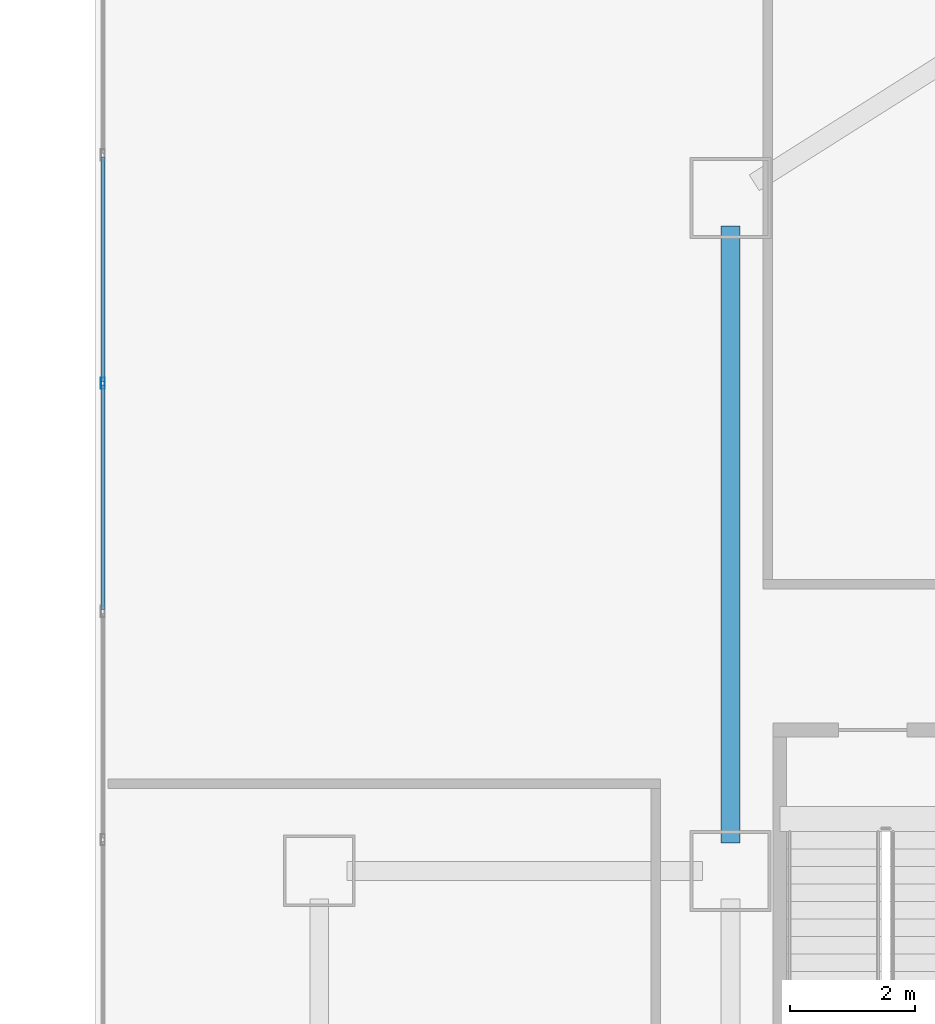
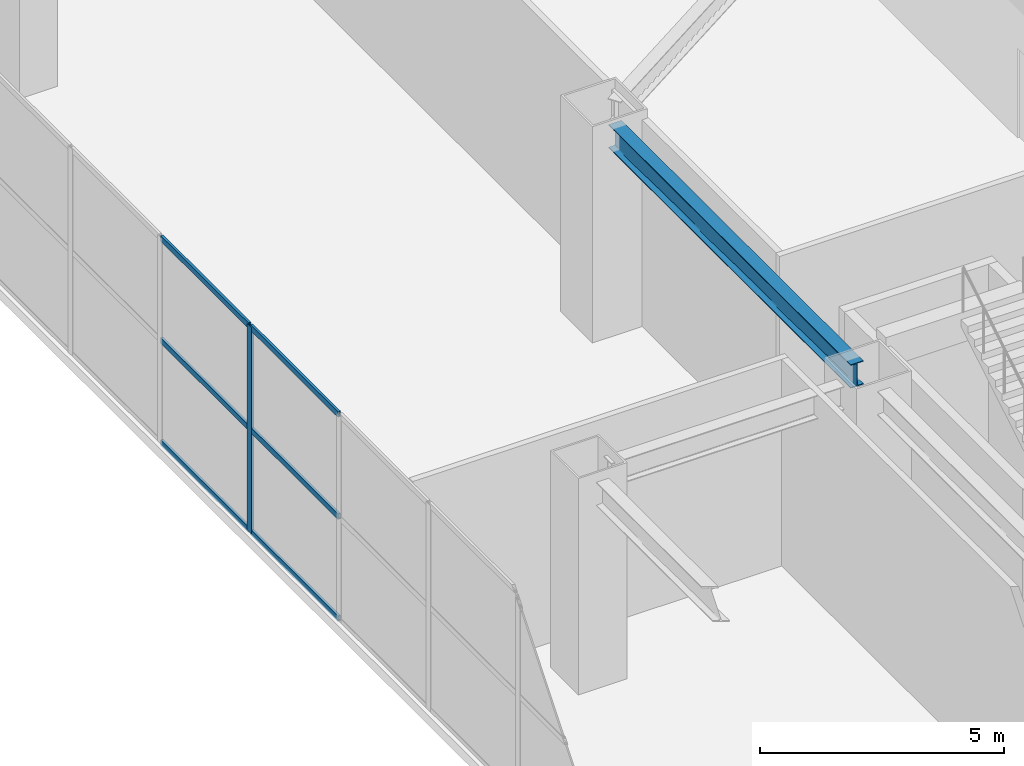
# One storey, part 10 of 37: 7 members, 1 beam, 1 element without a shape of its own.
"""IFC4 building model written with IfcOpenShell, lengths in metres."""

from ifc_helpers import new_model, si_unit, direction, frame, origin, origin_2d, place, context, subcontext, project, spatial, hollow_rectangle, i_section, extrude, material, layer, layer_set, material_profile, profile_set, type_object, element, aggregate, save


model = new_model("IFC4")

# Units and contexts
model_context = context("Model", 3, precision=1e-05, world=origin(), true_north=direction((0.0, 1.0)))
body_context = subcontext(model_context, "Body", "Model", "MODEL_VIEW")
ifc_project = project(units=[si_unit("LENGTHUNIT", "METRE"), si_unit("AREAUNIT", "SQUARE_METRE"), si_unit("VOLUMEUNIT", "CUBIC_METRE"), si_unit("PLANEANGLEUNIT", "RADIAN"), si_unit("MASSUNIT", "GRAM", prefix="KILO")], contexts=[model_context])

# Site, building, storey
site_placement = place(None, origin())
site = spatial("IfcSite", under=ifc_project, at=site_placement, CompositionType="ELEMENT")
building_placement = place(site_placement, origin())
building = spatial("IfcBuilding", under=site, at=building_placement, Name="Haolan Belvedere Tower", CompositionType="ELEMENT")
storey_placement = place(building_placement, frame((0.0, 0.0, 10.199951171875)))
storey = spatial("IfcBuildingStorey", under=building, at=storey_placement, Name="L02", CompositionType="ELEMENT", Elevation=10.199951171875)

# Beam
ifc_material_1 = material(Name="Steel Q355B", Category="steel")
ifc_material_profile_1 = material_profile(ifc_material_1, i_section(OverallWidth=0.300048828125, OverallDepth=0.587890625, WebThickness=0.011962890625, FlangeThickness=0.02001953125, FilletRadius=0.028076171875, at=origin_2d()), Name="Steel Q355B")
ifc_profile_set_1 = profile_set([ifc_material_profile_1], Name="Steel Q355B")
beam_type = type_object("IfcBeamType", Name="BM-HM588x300x12x20", PredefinedType="SPANDREL", material=ifc_profile_set_1)
beam_placement = place(storey_placement, frame((12.60009765625, 28.050048828125, 4.865966796875), z_axis=(0.0, 1.0, 0.0), x_axis=(-1.0, 0.0, 0.0)))
element("IfcBeam", 1, at=beam_placement, inside=storey, type_object=beam_type, Name="L02 spandrel girder MC-T2-MW-MC-T2-NW", PredefinedType="SPANDREL", context=body_context, shape_type="SweptSolid", body=[
    extrude(i_section(OverallWidth=0.300048828125, OverallDepth=0.587890625, WebThickness=0.011962890625, FlangeThickness=0.02001953125, FilletRadius=0.028076171875, at=origin_2d()), origin(), (0.0, 0.0, 1.0), 9.89990234375),
])

# Curtain wall, members
ifc_material_2 = material(Name="Anodised champagne-silver aluminium 6063-T6 and Low-E glass", Category="aluminium")
ifc_layer = layer(ifc_material_2, 0.179931640625, Name="Anodised champagne-silver aluminium 6063-T6 and Low-E glass")
ifc_layer_set = layer_set([ifc_layer], Name="Anodised champagne-silver aluminium 6063-T6 and Low-E glass")
curtain_wall_type = type_object("IfcCurtainWallType", Name="CW-SYS-01", PredefinedType="NOTDEFINED", material=ifc_layer_set)
curtain_wall_placement = place(storey_placement, origin())
curtain_wall = element("IfcCurtainWall", 2, at=curtain_wall_placement, inside=storey, type_object=curtain_wall_type, Name="L02 CW-SYS-01 ribbon curtain wall 4.1", PredefinedType="NOTDEFINED")
ifc_material_3 = material(Name="Anodised aluminium 6063-T6", Category="aluminium")
ifc_material_profile_2 = material_profile(ifc_material_3, hollow_rectangle(XDim=0.06494140625, YDim=0.179931640625, WallThickness=0.00390625, at=origin_2d()), Name="Anodised aluminium 6063-T6")
ifc_profile_set_2 = profile_set([ifc_material_profile_2], Name="Anodised aluminium 6063-T6")
member_type_1 = type_object("IfcMemberType", Name="CW-SYS-01-MUL", PredefinedType="MULLION", material=ifc_profile_set_2)
member_1_placement = place(storey_placement, frame((2.530029296875, 35.42333984375, 0.0), z_axis=(0.0, 0.0, 1.0), x_axis=(1.0, 0.0, 0.0)))
member_1 = element("IfcMember", 3, at=member_1_placement, type_object=member_type_1, Name="CW-01 mullion 6", PredefinedType="MULLION", context=body_context, shape_type="SweptSolid", body=[
    extrude(hollow_rectangle(XDim=0.06494140625, YDim=0.179931640625, WallThickness=0.00390625, at=origin_2d()), origin(), (0.0, 0.0, 1.0), 5.16015625),
])
ifc_material_profile_3 = material_profile(ifc_material_3, hollow_rectangle(XDim=0.06005859375, YDim=0.139892578125, WallThickness=0.00390625, at=origin_2d()), Name="Anodised aluminium 6063-T6")
ifc_profile_set_3 = profile_set([ifc_material_profile_3], Name="Anodised aluminium 6063-T6")
member_type_2 = type_object("IfcMemberType", Name="CW-SYS-01-TRN", PredefinedType="USERDEFINED", material=ifc_profile_set_3)
member_2_placement = place(storey_placement, frame((2.530029296875, 39.052001953125, 0.030029296875), z_axis=(0.0, -1.0, 0.0), x_axis=(1.0, 0.0, 0.0)))
member_2 = element("IfcMember", 4, at=member_2_placement, type_object=member_type_2, Name="CW-01 transom 5.1", ObjectType="TRANSOM", PredefinedType="USERDEFINED", context=body_context, shape_type="SweptSolid", body=[
    extrude(hollow_rectangle(XDim=0.06005859375, YDim=0.139892578125, WallThickness=0.00390625, at=origin_2d()), origin(), (0.0, 0.0, 1.0), 3.59619140625),
])
member_3_placement = place(storey_placement, frame((2.530029296875, 39.052001953125, 2.580078125), z_axis=(0.0, -1.0, 0.0), x_axis=(1.0, 0.0, 0.0)))
member_3 = element("IfcMember", 5, at=member_3_placement, type_object=member_type_2, Name="CW-01 transom 5.2", ObjectType="TRANSOM", PredefinedType="USERDEFINED", context=body_context, shape_type="SweptSolid", body=[
    extrude(hollow_rectangle(XDim=0.06005859375, YDim=0.139892578125, WallThickness=0.00390625, at=origin_2d()), origin(), (0.0, 0.0, 1.0), 3.59619140625),
])
member_4_placement = place(storey_placement, frame((2.530029296875, 39.052001953125, 5.130126953125), z_axis=(0.0, -1.0, 0.0), x_axis=(1.0, 0.0, 0.0)))
member_4 = element("IfcMember", 6, at=member_4_placement, type_object=member_type_2, Name="CW-01 transom 5.3", ObjectType="TRANSOM", PredefinedType="USERDEFINED", context=body_context, shape_type="SweptSolid", body=[
    extrude(hollow_rectangle(XDim=0.06005859375, YDim=0.139892578125, WallThickness=0.00390625, at=origin_2d()), origin(), (0.0, 0.0, 1.0), 3.59619140625),
])
member_5_placement = place(storey_placement, frame((2.530029296875, 35.390869140625, 0.030029296875), z_axis=(0.0, -1.0, 0.0), x_axis=(1.0, 0.0, 0.0)))
member_5 = element("IfcMember", 7, at=member_5_placement, type_object=member_type_2, Name="CW-01 transom 6.1", ObjectType="TRANSOM", PredefinedType="USERDEFINED", context=body_context, shape_type="SweptSolid", body=[
    extrude(hollow_rectangle(XDim=0.06005859375, YDim=0.139892578125, WallThickness=0.00390625, at=origin_2d()), origin(), (0.0, 0.0, 1.0), 3.596435546875),
])
member_6_placement = place(storey_placement, frame((2.530029296875, 35.390869140625, 2.580078125), z_axis=(0.0, -1.0, 0.0), x_axis=(1.0, 0.0, 0.0)))
member_6 = element("IfcMember", 8, at=member_6_placement, type_object=member_type_2, Name="CW-01 transom 6.2", ObjectType="TRANSOM", PredefinedType="USERDEFINED", context=body_context, shape_type="SweptSolid", body=[
    extrude(hollow_rectangle(XDim=0.06005859375, YDim=0.139892578125, WallThickness=0.00390625, at=origin_2d()), origin(), (0.0, 0.0, 1.0), 3.596435546875),
])
member_7_placement = place(storey_placement, frame((2.530029296875, 35.390869140625, 5.130126953125), z_axis=(0.0, -1.0, 0.0), x_axis=(1.0, 0.0, 0.0)))
member_7 = element("IfcMember", 9, at=member_7_placement, type_object=member_type_2, Name="CW-01 transom 6.3", ObjectType="TRANSOM", PredefinedType="USERDEFINED", context=body_context, shape_type="SweptSolid", body=[
    extrude(hollow_rectangle(XDim=0.06005859375, YDim=0.139892578125, WallThickness=0.00390625, at=origin_2d()), origin(), (0.0, 0.0, 1.0), 3.596435546875),
])
aggregate(curtain_wall, [member_1, member_2, member_3, member_4, member_5, member_6, member_7])

save(model, "model.ifc")
